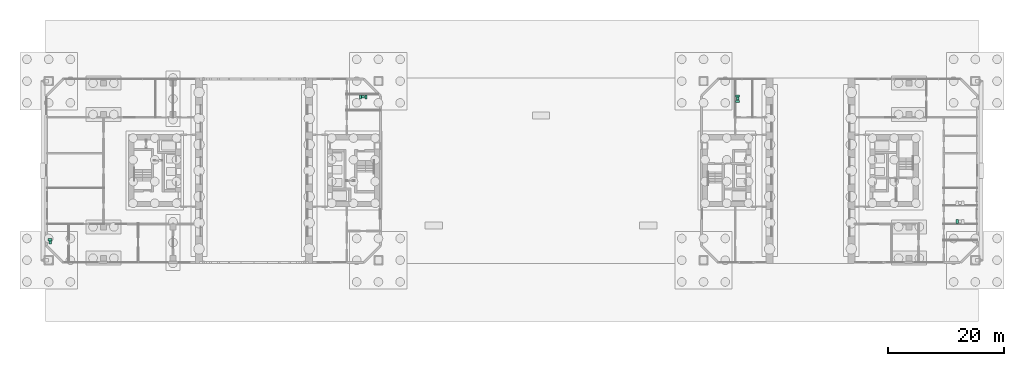
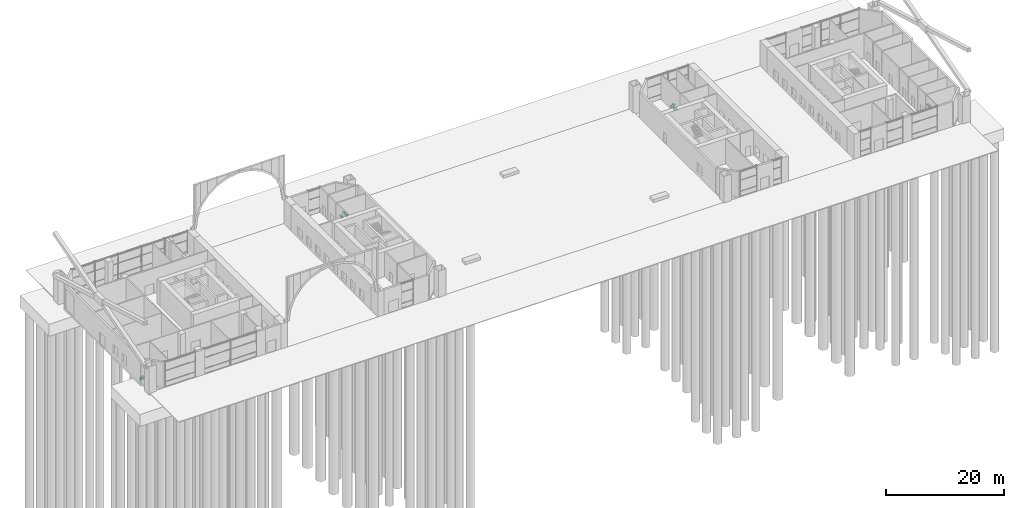
# One storey, part 24 of 26: 9 sanitary terminals.
"""IFC4 building model written with IfcOpenShell, lengths in metres."""

from ifc_helpers import new_model, si_unit, direction, frame, origin, origin_2d, place, context, subcontext, project, spatial, rectangle, extrude, element, save


model = new_model("IFC4")

# Units and contexts
model_context = context("Model", 3, precision=1e-05, world=origin(), true_north=direction((0.0, 1.0)))
body_context = subcontext(model_context, "Body", "Model", "MODEL_VIEW")
ifc_project = project(units=[si_unit("LENGTHUNIT", "METRE"), si_unit("AREAUNIT", "SQUARE_METRE"), si_unit("VOLUMEUNIT", "CUBIC_METRE"), si_unit("PLANEANGLEUNIT", "RADIAN"), si_unit("MASSUNIT", "GRAM", prefix="KILO")], contexts=[model_context])

# Site, building, storey
site_placement = place(None, origin())
site = spatial("IfcSite", under=ifc_project, at=site_placement, CompositionType="ELEMENT")
building_placement = place(site_placement, origin())
building = spatial("IfcBuilding", under=site, at=building_placement, Name="Tuart Gate Housing", CompositionType="ELEMENT")
storey_placement = place(building_placement, origin())
storey = spatial("IfcBuildingStorey", under=building, at=storey_placement, Name="L00", CompositionType="ELEMENT", Elevation=0.0)

# Sanitary terminals
sanitary_terminal_1_placement = place(storey_placement, frame((18.81005859375, 58.054931640625, 0.0), z_axis=(0.0, 0.0, 1.0), x_axis=(1.0, 0.0, 0.0)))
element("IfcSanitaryTerminal", 1, at=sanitary_terminal_1_placement, inside=storey, Name="Water closet", PredefinedType="TOILETPAN", context=body_context, shape_type="SweptSolid", body=[
    extrude(rectangle(XDim=0.699951171875, YDim=0.39990234375, at=origin_2d()), origin(), (0.0, 0.0, 1.0), 0.39990234375),
])
sanitary_terminal_2_placement = place(storey_placement, frame((18.81005859375, 57.580078125, 0.75), z_axis=(0.0, 0.0, 1.0), x_axis=(1.0, 0.0, 0.0)))
element("IfcSanitaryTerminal", 2, at=sanitary_terminal_2_placement, inside=storey, Name="Wash basin", PredefinedType="WASHHANDBASIN", context=body_context, shape_type="SweptSolid", body=[
    extrude(rectangle(XDim=0.39990234375, YDim=0.5, at=origin_2d()), origin(), (0.0, 0.0, 1.0), 0.199951171875),
])
for number, where, z_axis, x_axis, name in (
    (3, (72.344970703125, 82.75, 0.0), (0.0, 0.0, 1.0), (1.0, 0.0, 0.0), "Water closet"),
    (4, (73.294921875, 82.75, 0.0), (0.0, 0.0, 1.0), (1.0, 0.0, 0.0), "Water closet"),
):
    element("IfcSanitaryTerminal", number, at=place(storey_placement, frame(where, z_axis=z_axis, x_axis=x_axis)), inside=storey, Name=name, PredefinedType="TOILETPAN", context=body_context, shape_type="SweptSolid", body=[
        extrude(rectangle(XDim=0.39990234375, YDim=0.699951171875, at=origin_2d()), origin(), (0.0, 0.0, 1.0), 0.39990234375),
    ])
sanitary_terminal_3_placement = place(storey_placement, frame((72.820068359375, 82.75, 0.75), z_axis=(0.0, 0.0, 1.0), x_axis=(1.0, 0.0, 0.0)))
element("IfcSanitaryTerminal", 5, at=sanitary_terminal_3_placement, inside=storey, Name="Wash basin", PredefinedType="WASHHANDBASIN", context=body_context, shape_type="SweptSolid", body=[
    extrude(rectangle(XDim=0.5, YDim=0.39990234375, at=origin_2d()), origin(), (0.0, 0.0, 1.0), 0.199951171875),
])
for number, where, z_axis, x_axis, name in (
    (6, (137.449951171875, 81.945068359375, 0.0), (0.0, 0.0, 1.0), (1.0, 0.0, 0.0), "Water closet"),
    (7, (137.449951171875, 82.89501953125, 0.0), (0.0, 0.0, 1.0), (1.0, 0.0, 0.0), "Water closet"),
):
    element("IfcSanitaryTerminal", number, at=place(storey_placement, frame(where, z_axis=z_axis, x_axis=x_axis)), inside=storey, Name=name, PredefinedType="TOILETPAN", context=body_context, shape_type="SweptSolid", body=[
        extrude(rectangle(XDim=0.699951171875, YDim=0.39990234375, at=origin_2d()), origin(), (0.0, 0.0, 1.0), 0.39990234375),
    ])
sanitary_terminal_4_placement = place(storey_placement, frame((137.449951171875, 82.419921875, 0.75), z_axis=(0.0, 0.0, 1.0), x_axis=(1.0, 0.0, 0.0)))
element("IfcSanitaryTerminal", 8, at=sanitary_terminal_4_placement, inside=storey, Name="Wash basin", PredefinedType="WASHHANDBASIN", context=body_context, shape_type="SweptSolid", body=[
    extrude(rectangle(XDim=0.39990234375, YDim=0.5, at=origin_2d()), origin(), (0.0, 0.0, 1.0), 0.199951171875),
])
sanitary_terminal_5_placement = place(storey_placement, frame((175.344970703125, 61.25, 0.0), z_axis=(0.0, 0.0, 1.0), x_axis=(1.0, 0.0, 0.0)))
element("IfcSanitaryTerminal", 9, at=sanitary_terminal_5_placement, inside=storey, Name="Water closet", PredefinedType="TOILETPAN", context=body_context, shape_type="SweptSolid", body=[
    extrude(rectangle(XDim=0.39990234375, YDim=0.699951171875, at=origin_2d()), origin(), (0.0, 0.0, 1.0), 0.39990234375),
])

save(model, "model.ifc")
